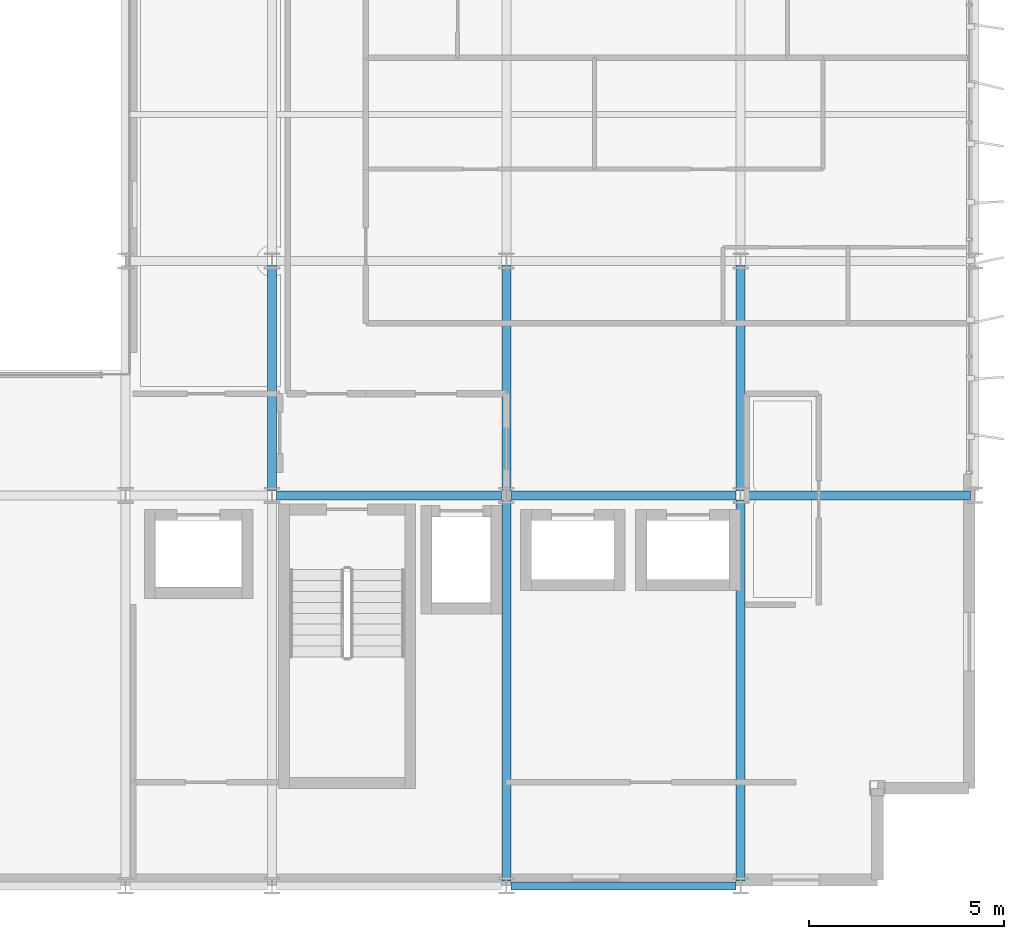
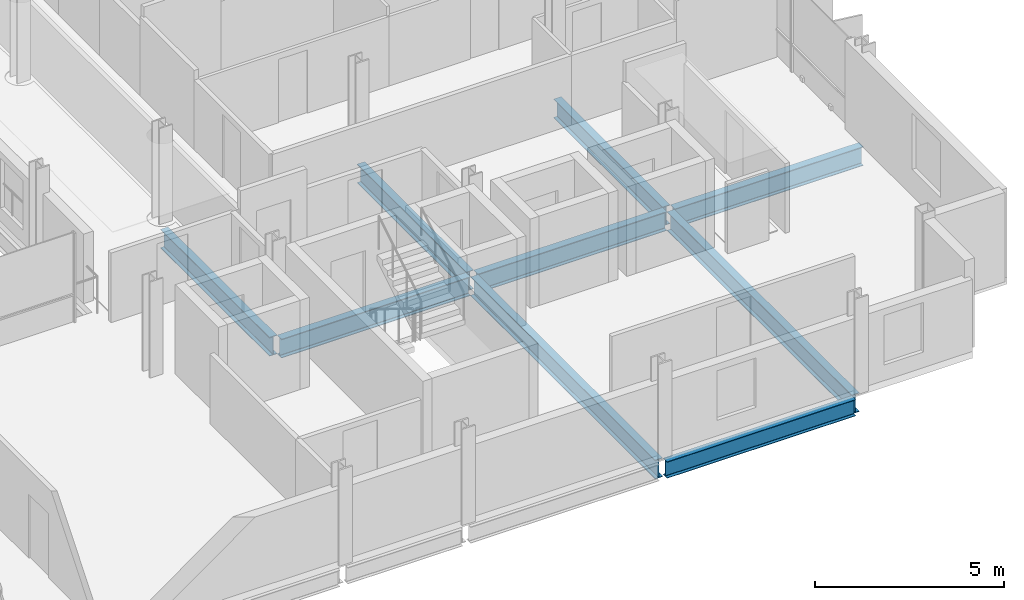
# One storey, part 16 of 38: 9 beams.
"""IFC4 building model written with IfcOpenShell, lengths in metres."""

from ifc_helpers import new_model, si_unit, direction, frame, origin, origin_2d, place, context, subcontext, project, spatial, i_section, extrude, material, material_profile, profile_set, type_object, element, save


model = new_model("IFC4")

# Units and contexts
model_context = context("Model", 3, precision=1e-05, world=origin(), true_north=direction((0.0, 1.0)))
body_context = subcontext(model_context, "Body", "Model", "MODEL_VIEW")
ifc_project = project(units=[si_unit("LENGTHUNIT", "METRE"), si_unit("AREAUNIT", "SQUARE_METRE"), si_unit("VOLUMEUNIT", "CUBIC_METRE"), si_unit("PLANEANGLEUNIT", "RADIAN"), si_unit("MASSUNIT", "GRAM", prefix="KILO")], contexts=[model_context])

# Site, building, storey
site_placement = place(None, origin())
site = spatial("IfcSite", under=ifc_project, at=site_placement, CompositionType="ELEMENT")
building_placement = place(site_placement, origin())
building = spatial("IfcBuilding", under=site, at=building_placement, Name="Brevholm Reach", CompositionType="ELEMENT")
storey_placement = place(building_placement, frame((0.0, 0.0, 141.800048828125)))
storey = spatial("IfcBuildingStorey", under=building, at=storey_placement, Name="L42", CompositionType="ELEMENT", Elevation=141.800048828125)

# Beams
ifc_material_1 = material(Name="Structural Steel S355J2", Category="steel")
ifc_material_profile_1 = material_profile(ifc_material_1, i_section(OverallWidth=0.209228515625, OverallDepth=0.533203125, WebThickness=0.010009765625, FlangeThickness=0.015625, FilletRadius=0.0126953125, at=origin_2d()), Name="UKB 533x210x92")
ifc_profile_set_1 = profile_set([ifc_material_profile_1], Name="Structural Steel S355J2")
beam_type_1 = type_object("IfcBeamType", Name="BM-SP533", PredefinedType="SPANDREL", material=ifc_profile_set_1)
beam_1_placement = place(storey_placement, frame((48.1201171875, 0.0, -0.486572265625), z_axis=(1.0, 0.0, 0.0), x_axis=(0.0, 1.0, 0.0)))
element("IfcBeam", 1, at=beam_1_placement, inside=storey, type_object=beam_type_1, Name="L42 SP-02 Framing Beam", PredefinedType="SPANDREL", context=body_context, shape_type="SweptSolid", body=[
    extrude(i_section(OverallWidth=0.209228515625, OverallDepth=0.533203125, WebThickness=0.010009765625, FlangeThickness=0.015625, FilletRadius=0.0126953125, at=origin_2d()), origin(), (0.0, 0.0, 1.0), 5.759765625),
])
ifc_material_2 = material(Name="Structural Steel S355J2", Category="steel")
ifc_material_profile_2 = material_profile(ifc_material_2, i_section(OverallWidth=0.22900390625, OverallDepth=0.6123046875, WebThickness=0.011962890625, FlangeThickness=0.01953125, FilletRadius=0.0126953125, at=origin_2d()), Name="UKB 610x229x125")
ifc_profile_set_2 = profile_set([ifc_material_profile_2], Name="Structural Steel S355J2")
beam_type_2 = type_object("IfcBeamType", Name="BM-SP610", PredefinedType="SPANDREL", material=ifc_profile_set_2)
for number, where, z_axis, x_axis, name in (
    (2, (42.1201171875, 10.0, -0.526123046875), (1.0, 0.0, 0.0), (0.0, 1.0, 0.0), "L42 SP-01 Framing Beam"),
    (3, (48.1201171875, 10.0, -0.526123046875), (1.0, 0.0, 0.0), (0.0, 1.0, 0.0), "L42 SP-01 Framing Beam"),
    (4, (54.1201171875, 10.0, -0.526123046875), (1.0, 0.0, 0.0), (0.0, 1.0, 0.0), "L42 SP-01 Framing Beam"),
    (5, (42.0, 10.1201171875, -0.526123046875), (0.0, 1.0, 0.0), (-1.0, 0.0, 0.0), "L42 SP-01 Framing Beam"),
):
    element("IfcBeam", number, at=place(storey_placement, frame(where, z_axis=z_axis, x_axis=x_axis)), inside=storey, type_object=beam_type_2, Name=name, PredefinedType="SPANDREL", context=body_context, shape_type="SweptSolid", body=[
        extrude(i_section(OverallWidth=0.22900390625, OverallDepth=0.6123046875, WebThickness=0.011962890625, FlangeThickness=0.01953125, FilletRadius=0.0126953125, at=origin_2d()), origin(), (0.0, 0.0, 1.0), 5.759765625),
    ])
beam_2_placement = place(storey_placement, frame((48.0, 0.1201171875, -0.526123046875), z_axis=(0.0, 1.0, 0.0), x_axis=(-1.0, 0.0, 0.0)))
element("IfcBeam", 6, at=beam_2_placement, inside=storey, type_object=beam_type_2, Name="L42 SP-01 Framing Beam", PredefinedType="SPANDREL", context=body_context, shape_type="SweptSolid", body=[
    extrude(i_section(OverallWidth=0.22900390625, OverallDepth=0.6123046875, WebThickness=0.011962890625, FlangeThickness=0.01953125, FilletRadius=0.0126953125, at=origin_2d()), origin(), (0.0, 0.0, 1.0), 9.759765625),
])
beam_3_placement = place(storey_placement, frame((48.0, 10.1201171875, -0.526123046875), z_axis=(0.0, 1.0, 0.0), x_axis=(-1.0, 0.0, 0.0)))
element("IfcBeam", 7, at=beam_3_placement, inside=storey, type_object=beam_type_2, Name="L42 SP-01 Framing Beam", PredefinedType="SPANDREL", context=body_context, shape_type="SweptSolid", body=[
    extrude(i_section(OverallWidth=0.22900390625, OverallDepth=0.6123046875, WebThickness=0.011962890625, FlangeThickness=0.01953125, FilletRadius=0.0126953125, at=origin_2d()), origin(), (0.0, 0.0, 1.0), 5.759765625),
])
beam_4_placement = place(storey_placement, frame((54.0, 0.1201171875, -0.526123046875), z_axis=(0.0, 1.0, 0.0), x_axis=(-1.0, 0.0, 0.0)))
element("IfcBeam", 8, at=beam_4_placement, inside=storey, type_object=beam_type_2, Name="L42 SP-01 Framing Beam", PredefinedType="SPANDREL", context=body_context, shape_type="SweptSolid", body=[
    extrude(i_section(OverallWidth=0.22900390625, OverallDepth=0.6123046875, WebThickness=0.011962890625, FlangeThickness=0.01953125, FilletRadius=0.0126953125, at=origin_2d()), origin(), (0.0, 0.0, 1.0), 9.759765625),
])
beam_5_placement = place(storey_placement, frame((54.0, 10.1201171875, -0.526123046875), z_axis=(0.0, 1.0, 0.0), x_axis=(-1.0, 0.0, 0.0)))
element("IfcBeam", 9, at=beam_5_placement, inside=storey, type_object=beam_type_2, Name="L42 SP-01 Framing Beam", PredefinedType="SPANDREL", context=body_context, shape_type="SweptSolid", body=[
    extrude(i_section(OverallWidth=0.22900390625, OverallDepth=0.6123046875, WebThickness=0.011962890625, FlangeThickness=0.01953125, FilletRadius=0.0126953125, at=origin_2d()), origin(), (0.0, 0.0, 1.0), 5.759765625),
])

save(model, "model.ifc")
